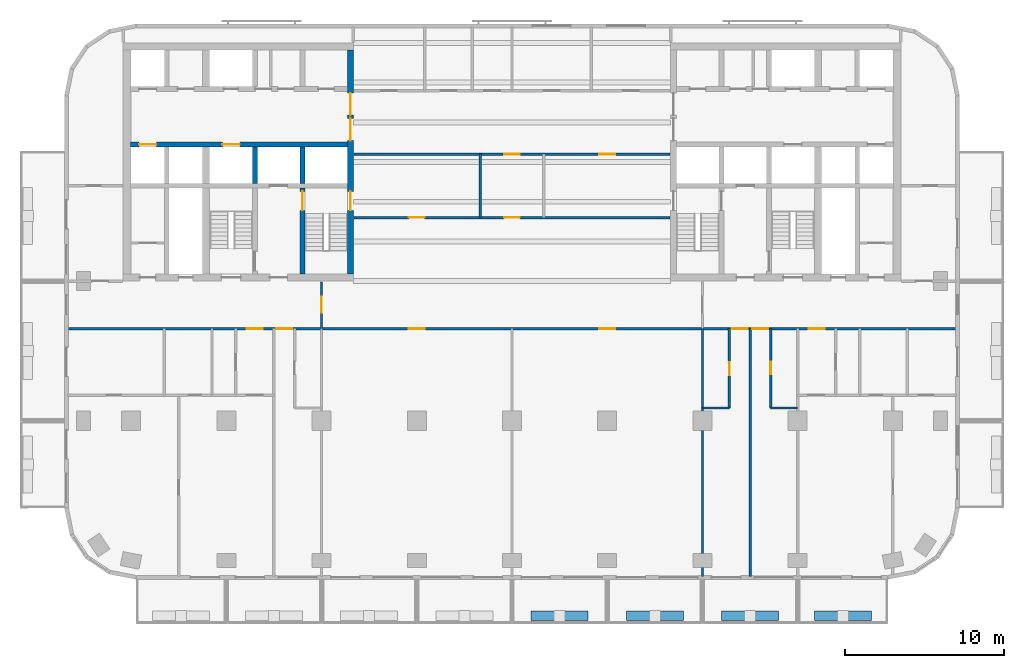
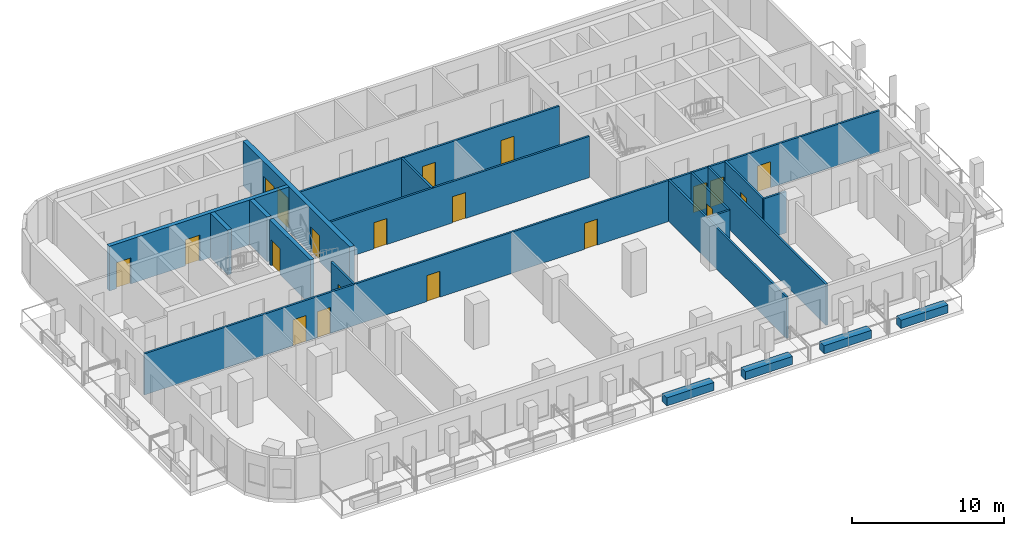
# One storey, part 4 of 11: 20 doors, 20 walls, 20 openings.
"""IFC4 building model written with IfcOpenShell, lengths in metres."""

from ifc_helpers import new_model, si_unit, direction, frame, frame_2d, origin, place, context, subcontext, project, spatial, rectangle, extrude, material, layer, layer_set, type_object, element, fill, save


model = new_model("IFC4")

# Units and contexts
model_context = context("Model", 3, precision=1e-05, world=origin(), true_north=direction((0.0, 1.0)))
body_context = subcontext(model_context, "Body", "Model", "MODEL_VIEW")
ifc_project = project(units=[si_unit("LENGTHUNIT", "METRE"), si_unit("AREAUNIT", "SQUARE_METRE"), si_unit("VOLUMEUNIT", "CUBIC_METRE"), si_unit("PLANEANGLEUNIT", "RADIAN"), si_unit("MASSUNIT", "GRAM", prefix="KILO")], contexts=[model_context])

# Site, building, storey
site_placement = place(None, origin())
site = spatial("IfcSite", under=ifc_project, at=site_placement, CompositionType="ELEMENT")
building_placement = place(site_placement, origin())
building = spatial("IfcBuilding", under=site, at=building_placement, Name="Torana Hotel and Residences", CompositionType="ELEMENT")
storey_placement = place(building_placement, frame((0.0, 0.0, 130.800048828125)))
storey = spatial("IfcBuildingStorey", under=building, at=storey_placement, Name="L33", CompositionType="ELEMENT", Elevation=130.800048828125)

# Wall, openings, doors
ifc_material_1 = material(Name="Concrete C70/85", Category="concrete")
ifc_layer_1 = layer(ifc_material_1, 0.300048828125)
ifc_layer_set_1 = layer_set([ifc_layer_1], Name="CORE WALL 300 C70/85")
wall_type_1 = type_object("IfcWallType", Name="CORE WALL 300 C70/85", PredefinedType="SHEAR", material=ifc_layer_set_1)
wall_1_placement = place(storey_placement, frame((-24.050048828125, -6.39990234375, 0.0), z_axis=(0.0, 0.0, 1.0), x_axis=(1.0, 0.0, 0.0)))
wall_1 = element("IfcWall", 1, at=wall_1_placement, inside=storey, type_object=wall_type_1, Name="Core wall W row-S", PredefinedType="SHEAR", context=body_context, shape_type="SweptSolid", body=[
    extrude(rectangle(XDim=13.699951171875, YDim=0.300048828125, at=frame_2d((6.85009765625, 0.0))), origin(), (0.0, 0.0, 1.0), 3.599853515625),
])
opening_1_placement = place(wall_1_placement, frame((0.550048828125, 0.0, 0.0)))
opening_1 = element("IfcOpeningElement", 2, at=opening_1_placement, cuts=wall_1, Name="Opening LD", PredefinedType="OPENING", context=body_context, shape_type="SweptSolid", body=[
    extrude(rectangle(XDim=1.10009765625, YDim=2.10009765625, at=frame_2d((0.550048828125, 1.050048828125))), frame((0.0, 0.159912109375, 0.0), z_axis=(0.0, -1.0, 0.0), x_axis=(1.0, 0.0, 0.0)), (0.0, 0.0, 1.0), 0.320068359375),
])
opening_2_placement = place(wall_1_placement, frame((5.800048828125, 0.0, 0.0)))
opening_2 = element("IfcOpeningElement", 3, at=opening_2_placement, cuts=wall_1, Name="Opening LD", PredefinedType="OPENING", context=body_context, shape_type="SweptSolid", body=[
    extrude(rectangle(XDim=1.10009765625, YDim=2.10009765625, at=frame_2d((0.550048828125, 1.050048828125))), frame((0.0, 0.159912109375, 0.0), z_axis=(0.0, -1.0, 0.0), x_axis=(1.0, 0.0, 0.0)), (0.0, 0.0, 1.0), 0.320068359375),
])
ifc_material_2 = material(Name="Stainless steel 316", Category="steel")
door_type_1 = type_object("IfcDoorType", Name="LIFT LANDING DOOR LD 1100x2100", OperationType="DOUBLE_DOOR_SLIDING", PredefinedType="USERDEFINED", material=ifc_material_2)
door_1_placement = place(opening_1_placement, origin())
door_1 = element("IfcDoor", 4, at=door_1_placement, inside=storey, type_object=door_type_1, Name="Lift landing door M2 L33", ObjectType="LIFT LANDING DOOR", OperationType="DOUBLE_DOOR_SLIDING", OverallHeight=2.10009765625, OverallWidth=1.10009765625, PredefinedType="USERDEFINED", context=body_context, shape_type="SweptSolid", body=[
    extrude(rectangle(XDim=1.10009765625, YDim=2.10009765625, at=frame_2d((0.550048828125, 1.050048828125))), frame((0.0, 0.02490234375, 0.0), z_axis=(0.0, -1.0, 0.0), x_axis=(1.0, 0.0, 0.0)), (0.0, 0.0, 1.0), 0.050048828125),
])
fill(opening_1, door_1)
door_2_placement = place(opening_2_placement, origin())
door_2 = element("IfcDoor", 5, at=door_2_placement, inside=storey, type_object=door_type_1, Name="Lift landing door SV1 L33", ObjectType="LIFT LANDING DOOR", OperationType="DOUBLE_DOOR_SLIDING", OverallHeight=2.10009765625, OverallWidth=1.10009765625, PredefinedType="USERDEFINED", context=body_context, shape_type="SweptSolid", body=[
    extrude(rectangle(XDim=1.10009765625, YDim=2.10009765625, at=frame_2d((0.550048828125, 1.050048828125))), frame((0.0, 0.02490234375, 0.0), z_axis=(0.0, -1.0, 0.0), x_axis=(1.0, 0.0, 0.0)), (0.0, 0.0, 1.0), 0.050048828125),
])
fill(opening_2, door_2)

# Wall
wall_2_placement = place(storey_placement, frame((-13.199951171875, -8.85009765625, 0.0), z_axis=(0.0, 0.0, 1.0), x_axis=(0.0, 1.0, 0.0)))
element("IfcWall", 6, at=wall_2_placement, inside=storey, type_object=wall_type_1, Name="Core wall W x3.05-S", PredefinedType="SHEAR", context=body_context, shape_type="SweptSolid", body=[
    extrude(rectangle(XDim=2.300048828125, YDim=0.300048828125, at=frame_2d((1.14990234375, 0.0))), origin(), (0.0, 0.0, 1.0), 3.599853515625),
])

# Wall, opening, door
wall_3_placement = place(storey_placement, frame((-13.199951171875, -14.550048828125, 0.0), z_axis=(0.0, 0.0, 1.0), x_axis=(0.0, 1.0, 0.0)))
wall_3 = element("IfcWall", 7, at=wall_3_placement, inside=storey, type_object=wall_type_1, Name="Core wall W x3.05-band", PredefinedType="SHEAR", context=body_context, shape_type="SweptSolid", body=[
    extrude(rectangle(XDim=5.400146484375, YDim=0.300048828125, at=frame_2d((2.7001953125, 0.0))), origin(), (0.0, 0.0, 1.0), 3.599853515625),
])
opening_3_placement = place(wall_3_placement, frame((4.0, 0.0, 0.0)))
opening_3 = element("IfcOpeningElement", 8, at=opening_3_placement, cuts=wall_3, Name="Opening L33-13", PredefinedType="OPENING", context=body_context, shape_type="SweptSolid", body=[
    extrude(rectangle(XDim=1.199951171875, YDim=2.10009765625, at=frame_2d((0.60009765625, 1.050048828125))), frame((0.0, 0.159912109375, 0.0), z_axis=(0.0, -1.0, 0.0), x_axis=(1.0, 0.0, 0.0)), (0.0, 0.0, 1.0), 0.320068359375),
])
ifc_material_3 = material(Name="Steel S235", Category="steel")
door_type_2 = type_object("IfcDoorType", Name="STAIR FIRE DOOR D3 1200x2100", OperationType="SINGLE_SWING_LEFT", PredefinedType="DOOR", material=ifc_material_3)
door_3_placement = place(opening_3_placement, frame((0.60009765625, 0.0, 0.0), z_axis=(0.0, 0.0, 1.0), x_axis=(-1.0, 0.0, 0.0)))
door_3 = element("IfcDoor", 9, at=door_3_placement, inside=storey, type_object=door_type_2, Name="Stair-A-lobby door L33", OperationType="SINGLE_SWING_RIGHT", OverallHeight=2.10009765625, OverallWidth=1.199951171875, PredefinedType="DOOR", context=body_context, shape_type="SweptSolid", body=[
    extrude(rectangle(XDim=1.199951171875, YDim=2.10009765625, at=frame_2d((0.0, 1.050048828125))), frame((0.0, -0.02490234375, 0.0), z_axis=(0.0, 1.0, 0.0), x_axis=(-1.0, 0.0, 0.0)), (0.0, 0.0, 1.0), 0.050048828125),
])
fill(opening_3, door_3)

# Wall
wall_4_placement = place(storey_placement, frame((-16.199951171875, -8.85009765625, 0.0), z_axis=(0.0, 0.0, 1.0), x_axis=(0.0, 1.0, 0.0)))
element("IfcWall", 10, at=wall_4_placement, inside=storey, type_object=wall_type_1, Name="Core wall W x6.05-S", PredefinedType="SHEAR", context=body_context, shape_type="SweptSolid", body=[
    extrude(rectangle(XDim=2.300048828125, YDim=0.300048828125, at=frame_2d((1.14990234375, 0.0))), origin(), (0.0, 0.0, 1.0), 3.599853515625),
])

# Wall, openings, doors
ifc_material_4 = material(Name="Concrete C70/85", Category="concrete")
ifc_layer_2 = layer(ifc_material_4, 0.35009765625)
ifc_layer_set_2 = layer_set([ifc_layer_2], Name="CORE WALL 350 C70/85")
wall_type_2 = type_object("IfcWallType", Name="CORE WALL 350 C70/85", PredefinedType="SHEAR", material=ifc_layer_set_2)
wall_5_placement = place(storey_placement, frame((-10.175048828125, -14.550048828125, 0.0), z_axis=(0.0, 0.0, 1.0), x_axis=(0.0, 1.0, 0.0)))
wall_5 = element("IfcWall", 11, at=wall_5_placement, inside=storey, type_object=wall_type_2, Name="Core wall W arch", PredefinedType="SHEAR", context=body_context, shape_type="SweptSolid", body=[
    extrude(rectangle(XDim=14.10009765625, YDim=0.35009765625, at=frame_2d((7.050048828125, 0.0))), origin(), (0.0, 0.0, 1.0), 3.599853515625),
])
opening_4_placement = place(wall_5_placement, frame((8.39990234375, 0.0, 0.0)))
opening_4 = element("IfcOpeningElement", 12, at=opening_4_placement, cuts=wall_5, Name="Opening L33-01", PredefinedType="OPENING", context=body_context, shape_type="SweptSolid", body=[
    extrude(rectangle(XDim=1.39990234375, YDim=2.39990234375, at=frame_2d((0.699951171875, 1.199951171875))), frame((0.0, 0.18505859375, 0.0), z_axis=(0.0, -1.0, 0.0), x_axis=(1.0, 0.0, 0.0)), (0.0, 0.0, 1.0), 0.3701171875),
])
opening_5_placement = place(wall_5_placement, frame((10.0, 0.0, 0.0)))
opening_5 = element("IfcOpeningElement", 13, at=opening_5_placement, cuts=wall_5, Name="Opening L33-02", PredefinedType="OPENING", context=body_context, shape_type="SweptSolid", body=[
    extrude(rectangle(XDim=1.39990234375, YDim=2.39990234375, at=frame_2d((0.699951171875, 1.199951171875))), frame((0.0, 0.18505859375, 0.0), z_axis=(0.0, -1.0, 0.0), x_axis=(1.0, 0.0, 0.0)), (0.0, 0.0, 1.0), 0.3701171875),
])
opening_6_placement = place(wall_5_placement, frame((4.0, 0.0, 0.0)))
opening_6 = element("IfcOpeningElement", 14, at=opening_6_placement, cuts=wall_5, Name="Opening L33-03", PredefinedType="OPENING", context=body_context, shape_type="SweptSolid", body=[
    extrude(rectangle(XDim=1.199951171875, YDim=2.10009765625, at=frame_2d((0.60009765625, 1.050048828125))), frame((0.0, 0.18505859375, 0.0), z_axis=(0.0, -1.0, 0.0), x_axis=(1.0, 0.0, 0.0)), (0.0, 0.0, 1.0), 0.3701171875),
])
ifc_material_5 = material(Name="Steel S235", Category="steel")
door_type_3 = type_object("IfcDoorType", Name="LOBBY FIRE DOOR D4 1400x2400", OperationType="DOUBLE_DOOR_SINGLE_SWING", PredefinedType="DOOR", material=ifc_material_5)
door_4_placement = place(opening_4_placement, origin())
door_4 = element("IfcDoor", 15, at=door_4_placement, inside=storey, type_object=door_type_3, Name="Lobby-1 door L33", OperationType="DOUBLE_DOOR_SINGLE_SWING", OverallHeight=2.39990234375, OverallWidth=1.39990234375, PredefinedType="DOOR", context=body_context, shape_type="SweptSolid", body=[
    extrude(rectangle(XDim=1.39990234375, YDim=2.39990234375, at=frame_2d((0.699951171875, 1.199951171875))), frame((0.0, 0.02490234375, 0.0), z_axis=(0.0, -1.0, 0.0), x_axis=(1.0, 0.0, 0.0)), (0.0, 0.0, 1.0), 0.050048828125),
])
fill(opening_4, door_4)
door_5_placement = place(opening_5_placement, origin())
door_5 = element("IfcDoor", 16, at=door_5_placement, inside=storey, type_object=door_type_3, Name="Lobby-2 door L33", OperationType="DOUBLE_DOOR_SINGLE_SWING", OverallHeight=2.39990234375, OverallWidth=1.39990234375, PredefinedType="DOOR", context=body_context, shape_type="SweptSolid", body=[
    extrude(rectangle(XDim=1.39990234375, YDim=2.39990234375, at=frame_2d((0.699951171875, 1.199951171875))), frame((0.0, 0.02490234375, 0.0), z_axis=(0.0, -1.0, 0.0), x_axis=(1.0, 0.0, 0.0)), (0.0, 0.0, 1.0), 0.050048828125),
])
fill(opening_5, door_5)
door_6_placement = place(opening_6_placement, origin())
door_6 = element("IfcDoor", 17, at=door_6_placement, inside=storey, type_object=door_type_2, Name="Stair-A door L33", OperationType="SINGLE_SWING_LEFT", OverallHeight=2.10009765625, OverallWidth=1.199951171875, PredefinedType="DOOR", context=body_context, shape_type="SweptSolid", body=[
    extrude(rectangle(XDim=1.199951171875, YDim=2.10009765625, at=frame_2d((0.60009765625, 1.050048828125))), frame((0.0, 0.02490234375, 0.0), z_axis=(0.0, -1.0, 0.0), x_axis=(1.0, 0.0, 0.0)), (0.0, 0.0, 1.0), 0.050048828125),
])
fill(opening_6, door_6)

# Wall
ifc_material_6 = material(Name="Gypsum plaster")
ifc_layer_3 = layer(ifc_material_6, 0.014892578125, Name="Plaster", Category="finish")
ifc_material_7 = material(Name="Concrete blockwork", Category="masonry")
ifc_layer_4 = layer(ifc_material_7, 0.1201171875, Name="Blockwork", Category="structure")
ifc_layer_5 = layer(ifc_material_6, 0.014892578125, Name="Plaster", Category="finish")
ifc_layer_set_3 = layer_set([ifc_layer_3, ifc_layer_4, ifc_layer_5], Name="FIRE PARTITION 150 BLOCKWORK")
wall_type_3 = type_object("IfcWallType", Name="FIRE PARTITION 150 BLOCKWORK", PredefinedType="PARTITIONING", material=ifc_layer_set_3)
wall_6_placement = place(storey_placement, frame((-2.0, -11.0, 0.0), z_axis=(0.0, 0.0, 1.0), x_axis=(0.0, 1.0, 0.0)))
element("IfcWall", 18, at=wall_6_placement, inside=storey, type_object=wall_type_3, Name="Partition L33", PredefinedType="PARTITIONING", context=body_context, shape_type="SweptSolid", body=[
    extrude(rectangle(XDim=4.0, YDim=0.14990234375, at=frame_2d((2.0, 0.0))), origin(), (0.0, 0.0, 1.0), 3.320068359375),
])

# Wall, opening, door
wall_7_placement = place(storey_placement, frame((-12.0, -18.0, 0.0), z_axis=(0.0, 0.0, 1.0), x_axis=(0.0, 1.0, 0.0)))
wall_7 = element("IfcWall", 19, at=wall_7_placement, inside=storey, type_object=wall_type_3, Name="Partition L33", PredefinedType="PARTITIONING", context=body_context, shape_type="SweptSolid", body=[
    extrude(rectangle(XDim=2.949951171875, YDim=0.14990234375, at=frame_2d((1.47509765625, 0.0))), origin(), (0.0, 0.0, 1.0), 3.320068359375),
])
opening_7_placement = place(wall_7_placement, frame((1.0, 0.0, 0.0)))
opening_7 = element("IfcOpeningElement", 20, at=opening_7_placement, cuts=wall_7, Name="Opening L33-31", PredefinedType="OPENING", context=body_context, shape_type="SweptSolid", body=[
    extrude(rectangle(XDim=1.0, YDim=2.10009765625, at=frame_2d((0.5, 1.050048828125))), frame((0.0, 0.0849609375, 0.0), z_axis=(0.0, -1.0, 0.0), x_axis=(1.0, 0.0, 0.0)), (0.0, 0.0, 1.0), 0.169921875),
])
ifc_material_8 = material(Name="Steel S235", Category="steel")
door_type_4 = type_object("IfcDoorType", Name="ENTRY FIRE DOOR D6 1000x2100", OperationType="SINGLE_SWING_LEFT", PredefinedType="DOOR", material=ifc_material_8)
door_7_placement = place(opening_7_placement, origin())
door_7 = element("IfcDoor", 21, at=door_7_placement, inside=storey, type_object=door_type_4, Name="Door L33", OperationType="SINGLE_SWING_RIGHT", OverallHeight=2.10009765625, OverallWidth=1.0, PredefinedType="DOOR", context=body_context, shape_type="SweptSolid", body=[
    extrude(rectangle(XDim=1.0, YDim=2.10009765625, at=frame_2d((0.5, 1.050048828125))), frame((0.0, 0.02490234375, 0.0), z_axis=(0.0, -1.0, 0.0), x_axis=(1.0, 0.0, 0.0)), (0.0, 0.0, 1.0), 0.050048828125),
])
fill(opening_7, door_7)

# Wall, openings, doors
wall_8_placement = place(storey_placement, frame((-28.02001953125, -18.0, 0.0), z_axis=(0.0, 0.0, 1.0), x_axis=(1.0, 0.0, 0.0)))
wall_8 = element("IfcWall", 22, at=wall_8_placement, inside=storey, type_object=wall_type_3, Name="Partition L33", PredefinedType="PARTITIONING", context=body_context, shape_type="SweptSolid", body=[
    extrude(rectangle(XDim=56.0400390625, YDim=0.14990234375, at=frame_2d((28.02001953125, 0.0))), origin(), (0.0, 0.0, 1.0), 3.320068359375),
])
opening_8_placement = place(wall_8_placement, frame((13.169921875, 0.0, 0.0)))
opening_8 = element("IfcOpeningElement", 23, at=opening_8_placement, cuts=wall_8, Name="Opening L33-32", PredefinedType="OPENING", context=body_context, shape_type="SweptSolid", body=[
    extrude(rectangle(XDim=1.0, YDim=2.10009765625, at=frame_2d((0.5, 1.050048828125))), frame((0.0, 0.0849609375, 0.0), z_axis=(0.0, -1.0, 0.0), x_axis=(1.0, 0.0, 0.0)), (0.0, 0.0, 1.0), 0.169921875),
])
opening_9_placement = place(wall_8_placement, frame((11.320068359375, 0.0, 0.0)))
opening_9 = element("IfcOpeningElement", 24, at=opening_9_placement, cuts=wall_8, Name="Opening L33-33", PredefinedType="OPENING", context=body_context, shape_type="SweptSolid", body=[
    extrude(rectangle(XDim=1.0, YDim=2.10009765625, at=frame_2d((0.5, 1.050048828125))), frame((0.0, 0.0849609375, 0.0), z_axis=(0.0, -1.0, 0.0), x_axis=(1.0, 0.0, 0.0)), (0.0, 0.0, 1.0), 0.169921875),
])
opening_10_placement = place(wall_8_placement, frame((41.8701171875, 0.0, 0.0)))
opening_10 = element("IfcOpeningElement", 25, at=opening_10_placement, cuts=wall_8, Name="Opening L33-36", PredefinedType="OPENING", context=body_context, shape_type="SweptSolid", body=[
    extrude(rectangle(XDim=1.0, YDim=2.10009765625, at=frame_2d((0.5, 1.050048828125))), frame((0.0, 0.0849609375, 0.0), z_axis=(0.0, -1.0, 0.0), x_axis=(1.0, 0.0, 0.0)), (0.0, 0.0, 1.0), 0.169921875),
])
opening_11_placement = place(wall_8_placement, frame((43.169921875, 0.0, 0.0)))
opening_11 = element("IfcOpeningElement", 26, at=opening_11_placement, cuts=wall_8, Name="Opening L33-37", PredefinedType="OPENING", context=body_context, shape_type="SweptSolid", body=[
    extrude(rectangle(XDim=1.0, YDim=2.10009765625, at=frame_2d((0.5, 1.050048828125))), frame((0.0, 0.0849609375, 0.0), z_axis=(0.0, -1.0, 0.0), x_axis=(1.0, 0.0, 0.0)), (0.0, 0.0, 1.0), 0.169921875),
])
opening_12_placement = place(wall_8_placement, frame((46.719970703125, 0.0, 0.0)))
opening_12 = element("IfcOpeningElement", 27, at=opening_12_placement, cuts=wall_8, Name="Opening L33-38", PredefinedType="OPENING", context=body_context, shape_type="SweptSolid", body=[
    extrude(rectangle(XDim=1.0, YDim=2.10009765625, at=frame_2d((0.5, 1.050048828125))), frame((0.0, 0.0849609375, 0.0), z_axis=(0.0, -1.0, 0.0), x_axis=(1.0, 0.0, 0.0)), (0.0, 0.0, 1.0), 0.169921875),
])
opening_13_placement = place(wall_8_placement, frame((21.52001953125, 0.0, 0.0)))
opening_13 = element("IfcOpeningElement", 28, at=opening_13_placement, cuts=wall_8, Name="Opening L33-41", PredefinedType="OPENING", context=body_context, shape_type="SweptSolid", body=[
    extrude(rectangle(XDim=1.0, YDim=2.10009765625, at=frame_2d((0.5, 1.050048828125))), frame((0.0, 0.0849609375, 0.0), z_axis=(0.0, -1.0, 0.0), x_axis=(1.0, 0.0, 0.0)), (0.0, 0.0, 1.0), 0.169921875),
])
opening_14_placement = place(wall_8_placement, frame((33.52001953125, 0.0, 0.0)))
opening_14 = element("IfcOpeningElement", 29, at=opening_14_placement, cuts=wall_8, Name="Opening L33-42", PredefinedType="OPENING", context=body_context, shape_type="SweptSolid", body=[
    extrude(rectangle(XDim=1.0, YDim=2.10009765625, at=frame_2d((0.5, 1.050048828125))), frame((0.0, 0.0849609375, 0.0), z_axis=(0.0, -1.0, 0.0), x_axis=(1.0, 0.0, 0.0)), (0.0, 0.0, 1.0), 0.169921875),
])
door_8_placement = place(opening_8_placement, frame((0.5, 0.0, 0.0), z_axis=(0.0, 0.0, 1.0), x_axis=(-1.0, 0.0, 0.0)))
door_8 = element("IfcDoor", 30, at=door_8_placement, inside=storey, type_object=door_type_4, Name="Door L33", OperationType="SINGLE_SWING_LEFT", OverallHeight=2.10009765625, OverallWidth=1.0, PredefinedType="DOOR", context=body_context, shape_type="SweptSolid", body=[
    extrude(rectangle(XDim=1.0, YDim=2.10009765625, at=frame_2d((0.0, 1.050048828125))), frame((0.0, -0.02490234375, 0.0), z_axis=(0.0, 1.0, 0.0), x_axis=(-1.0, 0.0, 0.0)), (0.0, 0.0, 1.0), 0.050048828125),
])
fill(opening_8, door_8)
door_9_placement = place(opening_9_placement, origin())
door_9 = element("IfcDoor", 31, at=door_9_placement, inside=storey, type_object=door_type_4, Name="Door L33", OperationType="SINGLE_SWING_RIGHT", OverallHeight=2.10009765625, OverallWidth=1.0, PredefinedType="DOOR", context=body_context, shape_type="SweptSolid", body=[
    extrude(rectangle(XDim=1.0, YDim=2.10009765625, at=frame_2d((0.5, 1.050048828125))), frame((0.0, 0.02490234375, 0.0), z_axis=(0.0, -1.0, 0.0), x_axis=(1.0, 0.0, 0.0)), (0.0, 0.0, 1.0), 0.050048828125),
])
fill(opening_9, door_9)
door_10_placement = place(opening_10_placement, frame((0.5, 0.0, 0.0), z_axis=(0.0, 0.0, 1.0), x_axis=(-1.0, 0.0, 0.0)))
door_10 = element("IfcDoor", 32, at=door_10_placement, inside=storey, type_object=door_type_4, Name="Door L33", OperationType="SINGLE_SWING_LEFT", OverallHeight=2.10009765625, OverallWidth=1.0, PredefinedType="DOOR", context=body_context, shape_type="SweptSolid", body=[
    extrude(rectangle(XDim=1.0, YDim=2.10009765625, at=frame_2d((0.0, 1.050048828125))), frame((0.0, -0.02490234375, 0.0), z_axis=(0.0, 1.0, 0.0), x_axis=(-1.0, 0.0, 0.0)), (0.0, 0.0, 1.0), 0.050048828125),
])
fill(opening_10, door_10)
door_11_placement = place(opening_11_placement, frame((0.5, 0.0, 0.0), z_axis=(0.0, 0.0, 1.0), x_axis=(-1.0, 0.0, 0.0)))
door_11 = element("IfcDoor", 33, at=door_11_placement, inside=storey, type_object=door_type_4, Name="Door L33", OperationType="SINGLE_SWING_LEFT", OverallHeight=2.10009765625, OverallWidth=1.0, PredefinedType="DOOR", context=body_context, shape_type="SweptSolid", body=[
    extrude(rectangle(XDim=1.0, YDim=2.10009765625, at=frame_2d((0.0, 1.050048828125))), frame((0.0, -0.02490234375, 0.0), z_axis=(0.0, 1.0, 0.0), x_axis=(-1.0, 0.0, 0.0)), (0.0, 0.0, 1.0), 0.050048828125),
])
fill(opening_11, door_11)
door_12_placement = place(opening_12_placement, origin())
door_12 = element("IfcDoor", 34, at=door_12_placement, inside=storey, type_object=door_type_4, Name="Door L33", OperationType="SINGLE_SWING_RIGHT", OverallHeight=2.10009765625, OverallWidth=1.0, PredefinedType="DOOR", context=body_context, shape_type="SweptSolid", body=[
    extrude(rectangle(XDim=1.0, YDim=2.10009765625, at=frame_2d((0.5, 1.050048828125))), frame((0.0, 0.02490234375, 0.0), z_axis=(0.0, -1.0, 0.0), x_axis=(1.0, 0.0, 0.0)), (0.0, 0.0, 1.0), 0.050048828125),
])
fill(opening_12, door_12)
door_13_placement = place(opening_13_placement, frame((0.5, 0.0, 0.0), z_axis=(0.0, 0.0, 1.0), x_axis=(-1.0, 0.0, 0.0)))
door_13 = element("IfcDoor", 35, at=door_13_placement, inside=storey, type_object=door_type_4, Name="Door L33", OperationType="SINGLE_SWING_LEFT", OverallHeight=2.10009765625, OverallWidth=1.0, PredefinedType="DOOR", context=body_context, shape_type="SweptSolid", body=[
    extrude(rectangle(XDim=1.0, YDim=2.10009765625, at=frame_2d((0.0, 1.050048828125))), frame((0.0, -0.02490234375, 0.0), z_axis=(0.0, 1.0, 0.0), x_axis=(-1.0, 0.0, 0.0)), (0.0, 0.0, 1.0), 0.050048828125),
])
fill(opening_13, door_13)
door_14_placement = place(opening_14_placement, frame((0.5, 0.0, 0.0), z_axis=(0.0, 0.0, 1.0), x_axis=(-1.0, 0.0, 0.0)))
door_14 = element("IfcDoor", 36, at=door_14_placement, inside=storey, type_object=door_type_4, Name="Door L33", OperationType="SINGLE_SWING_LEFT", OverallHeight=2.10009765625, OverallWidth=1.0, PredefinedType="DOOR", context=body_context, shape_type="SweptSolid", body=[
    extrude(rectangle(XDim=1.0, YDim=2.10009765625, at=frame_2d((0.0, 1.050048828125))), frame((0.0, -0.02490234375, 0.0), z_axis=(0.0, 1.0, 0.0), x_axis=(-1.0, 0.0, 0.0)), (0.0, 0.0, 1.0), 0.050048828125),
])
fill(opening_14, door_14)

wall_9_placement = place(storey_placement, frame((-9.949951171875, -11.0, 0.0), z_axis=(0.0, 0.0, 1.0), x_axis=(1.0, 0.0, 0.0)))
wall_9 = element("IfcWall", 37, at=wall_9_placement, inside=storey, type_object=wall_type_3, Name="Partition L33", PredefinedType="PARTITIONING", context=body_context, shape_type="SweptSolid", body=[
    extrude(rectangle(XDim=19.89990234375, YDim=0.14990234375, at=frame_2d((9.949951171875, 0.0))), origin(), (0.0, 0.0, 1.0), 3.320068359375),
])
opening_15_placement = place(wall_9_placement, frame((9.449951171875, 0.0, 0.0)))
opening_15 = element("IfcOpeningElement", 38, at=opening_15_placement, cuts=wall_9, Name="Opening L33-40", PredefinedType="OPENING", context=body_context, shape_type="SweptSolid", body=[
    extrude(rectangle(XDim=1.0, YDim=2.10009765625, at=frame_2d((0.5, 1.050048828125))), frame((0.0, 0.0849609375, 0.0), z_axis=(0.0, -1.0, 0.0), x_axis=(1.0, 0.0, 0.0)), (0.0, 0.0, 1.0), 0.169921875),
])
opening_16_placement = place(wall_9_placement, frame((3.449951171875, 0.0, 0.0)))
opening_16 = element("IfcOpeningElement", 39, at=opening_16_placement, cuts=wall_9, Name="Opening L33-43", PredefinedType="OPENING", context=body_context, shape_type="SweptSolid", body=[
    extrude(rectangle(XDim=1.0, YDim=2.10009765625, at=frame_2d((0.5, 1.050048828125))), frame((0.0, 0.0849609375, 0.0), z_axis=(0.0, -1.0, 0.0), x_axis=(1.0, 0.0, 0.0)), (0.0, 0.0, 1.0), 0.169921875),
])
door_15_placement = place(opening_15_placement, origin())
door_15 = element("IfcDoor", 40, at=door_15_placement, inside=storey, type_object=door_type_4, Name="Door L33", OperationType="SINGLE_SWING_RIGHT", OverallHeight=2.10009765625, OverallWidth=1.0, PredefinedType="DOOR", context=body_context, shape_type="SweptSolid", body=[
    extrude(rectangle(XDim=1.0, YDim=2.10009765625, at=frame_2d((0.5, 1.050048828125))), frame((0.0, 0.02490234375, 0.0), z_axis=(0.0, -1.0, 0.0), x_axis=(1.0, 0.0, 0.0)), (0.0, 0.0, 1.0), 0.050048828125),
])
fill(opening_15, door_15)
door_16_placement = place(opening_16_placement, origin())
door_16 = element("IfcDoor", 41, at=door_16_placement, inside=storey, type_object=door_type_4, Name="Door L33", OperationType="SINGLE_SWING_RIGHT", OverallHeight=2.10009765625, OverallWidth=1.0, PredefinedType="DOOR", context=body_context, shape_type="SweptSolid", body=[
    extrude(rectangle(XDim=1.0, YDim=2.10009765625, at=frame_2d((0.5, 1.050048828125))), frame((0.0, 0.02490234375, 0.0), z_axis=(0.0, -1.0, 0.0), x_axis=(1.0, 0.0, 0.0)), (0.0, 0.0, 1.0), 0.050048828125),
])
fill(opening_16, door_16)

wall_10_placement = place(storey_placement, frame((-9.949951171875, -7.0, 0.0), z_axis=(0.0, 0.0, 1.0), x_axis=(1.0, 0.0, 0.0)))
wall_10 = element("IfcWall", 42, at=wall_10_placement, inside=storey, type_object=wall_type_3, Name="Partition L33", PredefinedType="PARTITIONING", context=body_context, shape_type="SweptSolid", body=[
    extrude(rectangle(XDim=19.89990234375, YDim=0.14990234375, at=frame_2d((9.949951171875, 0.0))), origin(), (0.0, 0.0, 1.0), 3.320068359375),
])
opening_17_placement = place(wall_10_placement, frame((9.449951171875, 0.0, 0.0)))
opening_17 = element("IfcOpeningElement", 43, at=opening_17_placement, cuts=wall_10, Name="Opening L33-44", PredefinedType="OPENING", context=body_context, shape_type="SweptSolid", body=[
    extrude(rectangle(XDim=1.0, YDim=2.10009765625, at=frame_2d((0.5, 1.050048828125))), frame((0.0, 0.0849609375, 0.0), z_axis=(0.0, -1.0, 0.0), x_axis=(1.0, 0.0, 0.0)), (0.0, 0.0, 1.0), 0.169921875),
])
opening_18_placement = place(wall_10_placement, frame((15.449951171875, 0.0, 0.0)))
opening_18 = element("IfcOpeningElement", 44, at=opening_18_placement, cuts=wall_10, Name="Opening L33-45", PredefinedType="OPENING", context=body_context, shape_type="SweptSolid", body=[
    extrude(rectangle(XDim=1.0, YDim=2.10009765625, at=frame_2d((0.5, 1.050048828125))), frame((0.0, 0.0849609375, 0.0), z_axis=(0.0, -1.0, 0.0), x_axis=(1.0, 0.0, 0.0)), (0.0, 0.0, 1.0), 0.169921875),
])
door_17_placement = place(opening_17_placement, origin())
door_17 = element("IfcDoor", 45, at=door_17_placement, inside=storey, type_object=door_type_4, Name="Door L33", OperationType="SINGLE_SWING_RIGHT", OverallHeight=2.10009765625, OverallWidth=1.0, PredefinedType="DOOR", context=body_context, shape_type="SweptSolid", body=[
    extrude(rectangle(XDim=1.0, YDim=2.10009765625, at=frame_2d((0.5, 1.050048828125))), frame((0.0, 0.02490234375, 0.0), z_axis=(0.0, -1.0, 0.0), x_axis=(1.0, 0.0, 0.0)), (0.0, 0.0, 1.0), 0.050048828125),
])
fill(opening_17, door_17)
door_18_placement = place(opening_18_placement, frame((0.5, 0.0, 0.0), z_axis=(0.0, 0.0, 1.0), x_axis=(-1.0, 0.0, 0.0)))
door_18 = element("IfcDoor", 46, at=door_18_placement, inside=storey, type_object=door_type_4, Name="Door L33", OperationType="SINGLE_SWING_LEFT", OverallHeight=2.10009765625, OverallWidth=1.0, PredefinedType="DOOR", context=body_context, shape_type="SweptSolid", body=[
    extrude(rectangle(XDim=1.0, YDim=2.10009765625, at=frame_2d((0.0, 1.050048828125))), frame((0.0, -0.02490234375, 0.0), z_axis=(0.0, 1.0, 0.0), x_axis=(-1.0, 0.0, 0.0)), (0.0, 0.0, 1.0), 0.050048828125),
])
fill(opening_18, door_18)

# Wall, opening, door
ifc_material_9 = material(Name="Gypsum plasterboard")
ifc_layer_6 = layer(ifc_material_9, 0.012451171875, Name="Plasterboard", Category="finish")
ifc_layer_7 = layer(ifc_material_9, 0.012451171875, Name="Plasterboard", Category="finish")
ifc_material_10 = material(Name="Steel S280GD", Category="steel")
ifc_layer_8 = layer(ifc_material_10, 0.10009765625, Name="Steel studs with mineral wool", Category="insulation")
ifc_layer_9 = layer(ifc_material_9, 0.012451171875, Name="Plasterboard", Category="finish")
ifc_layer_10 = layer(ifc_material_9, 0.012451171875, Name="Plasterboard", Category="finish")
ifc_layer_set_4 = layer_set([ifc_layer_6, ifc_layer_7, ifc_layer_8, ifc_layer_9, ifc_layer_10], Name="PARTITION 150 PLASTERBOARD")
wall_type_4 = type_object("IfcWallType", Name="PARTITION 150 PLASTERBOARD", PredefinedType="PARTITIONING", material=ifc_layer_set_4)
wall_11_placement = place(storey_placement, frame((16.300048828125, -23.0, 0.0), z_axis=(0.0, 0.0, 1.0), x_axis=(0.0, 1.0, 0.0)))
wall_11 = element("IfcWall", 47, at=wall_11_placement, inside=storey, type_object=wall_type_4, Name="Partition L33", PredefinedType="PARTITIONING", context=body_context, shape_type="SweptSolid", body=[
    extrude(rectangle(XDim=5.0, YDim=0.14990234375, at=frame_2d((2.5, 0.0))), origin(), (0.0, 0.0, 1.0), 3.320068359375),
])
opening_19_placement = place(wall_11_placement, frame((2.1201171875, 0.0, 0.0)))
opening_19 = element("IfcOpeningElement", 48, at=opening_19_placement, cuts=wall_11, Name="Opening L33-53", PredefinedType="OPENING", context=body_context, shape_type="SweptSolid", body=[
    extrude(rectangle(XDim=0.800048828125, YDim=2.10009765625, at=frame_2d((0.39990234375, 1.050048828125))), frame((0.0, 0.0849609375, 0.0), z_axis=(0.0, -1.0, 0.0), x_axis=(1.0, 0.0, 0.0)), (0.0, 0.0, 1.0), 0.169921875),
])
ifc_material_11 = material(Name="Timber door, painted", Category="wood")
door_type_5 = type_object("IfcDoorType", Name="BATH DOOR D13 800x2100", OperationType="SINGLE_SWING_LEFT", PredefinedType="DOOR", material=ifc_material_11)
door_19_placement = place(opening_19_placement, origin())
door_19 = element("IfcDoor", 49, at=door_19_placement, inside=storey, type_object=door_type_5, Name="Door L33", OperationType="SINGLE_SWING_RIGHT", OverallHeight=2.10009765625, OverallWidth=0.800048828125, PredefinedType="DOOR", context=body_context, shape_type="SweptSolid", body=[
    extrude(rectangle(XDim=0.800048828125, YDim=2.10009765625, at=frame_2d((0.39990234375, 1.050048828125))), frame((0.0, 0.02490234375, 0.0), z_axis=(0.0, -1.0, 0.0), x_axis=(1.0, 0.0, 0.0)), (0.0, 0.0, 1.0), 0.050048828125),
])
fill(opening_19, door_19)

# Wall
wall_12_placement = place(storey_placement, frame((15.0, -33.6201171875, 0.0), z_axis=(0.0, 0.0, 1.0), x_axis=(0.0, 1.0, 0.0)))
element("IfcWall", 50, at=wall_12_placement, inside=storey, type_object=wall_type_4, Name="Partition L33", PredefinedType="PARTITIONING", context=body_context, shape_type="SweptSolid", body=[
    extrude(rectangle(XDim=15.6201171875, YDim=0.14990234375, at=frame_2d((7.81005859375, 0.0))), origin(), (0.0, 0.0, 1.0), 3.320068359375),
])

# Wall, opening, door
wall_13_placement = place(storey_placement, frame((13.699951171875, -23.0, 0.0), z_axis=(0.0, 0.0, 1.0), x_axis=(0.0, 1.0, 0.0)))
wall_13 = element("IfcWall", 51, at=wall_13_placement, inside=storey, type_object=wall_type_4, Name="Partition L33", PredefinedType="PARTITIONING", context=body_context, shape_type="SweptSolid", body=[
    extrude(rectangle(XDim=5.0, YDim=0.14990234375, at=frame_2d((2.5, 0.0))), origin(), (0.0, 0.0, 1.0), 3.320068359375),
])
opening_20_placement = place(wall_13_placement, frame((2.080078125, 0.0, 0.0)))
opening_20 = element("IfcOpeningElement", 52, at=opening_20_placement, cuts=wall_13, Name="Opening L33-52", PredefinedType="OPENING", context=body_context, shape_type="SweptSolid", body=[
    extrude(rectangle(XDim=0.800048828125, YDim=2.10009765625, at=frame_2d((0.39990234375, 1.050048828125))), frame((0.0, 0.0849609375, 0.0), z_axis=(0.0, -1.0, 0.0), x_axis=(1.0, 0.0, 0.0)), (0.0, 0.0, 1.0), 0.169921875),
])
door_20_placement = place(opening_20_placement, origin())
door_20 = element("IfcDoor", 53, at=door_20_placement, inside=storey, type_object=door_type_5, Name="Door L33", OperationType="SINGLE_SWING_RIGHT", OverallHeight=2.10009765625, OverallWidth=0.800048828125, PredefinedType="DOOR", context=body_context, shape_type="SweptSolid", body=[
    extrude(rectangle(XDim=0.800048828125, YDim=2.10009765625, at=frame_2d((0.39990234375, 1.050048828125))), frame((0.0, 0.02490234375, 0.0), z_axis=(0.0, -1.0, 0.0), x_axis=(1.0, 0.0, 0.0)), (0.0, 0.0, 1.0), 0.050048828125),
])
fill(opening_20, door_20)

# Walls
wall_14_placement = place(storey_placement, frame((12.0, -33.6201171875, 0.0), z_axis=(0.0, 0.0, 1.0), x_axis=(0.0, 1.0, 0.0)))
element("IfcWall", 54, at=wall_14_placement, inside=storey, type_object=wall_type_4, Name="Partition L33", PredefinedType="PARTITIONING", context=body_context, shape_type="SweptSolid", body=[
    extrude(rectangle(XDim=15.6201171875, YDim=0.14990234375, at=frame_2d((7.81005859375, 0.0))), origin(), (0.0, 0.0, 1.0), 3.320068359375),
])
for number, where, z_axis, x_axis, name in (
    (55, (12.0, -23.0, 0.0), (0.0, 0.0, 1.0), (1.0, 0.0, 0.0), "Partition L33"),
    (56, (16.300048828125, -23.0, 0.0), (0.0, 0.0, 1.0), (1.0, 0.0, 0.0), "Partition L33"),
):
    element("IfcWall", number, at=place(storey_placement, frame(where, z_axis=z_axis, x_axis=x_axis)), inside=storey, type_object=wall_type_4, Name=name, PredefinedType="PARTITIONING", context=body_context, shape_type="SweptSolid", body=[
        extrude(rectangle(XDim=1.699951171875, YDim=0.14990234375, at=frame_2d((0.85009765625, 0.0))), origin(), (0.0, 0.0, 1.0), 3.320068359375),
    ])
ifc_material_12 = material(Name="Concrete C40/50 precast", Category="concrete")
ifc_layer_11 = layer(ifc_material_12, 0.10009765625, Name="Planter shell", Category="structure")
ifc_material_13 = material(Name="Root resistant membrane")
ifc_layer_12 = layer(ifc_material_13, 0.00390625, Name="Waterproofing membrane", Category="membrane")
ifc_material_14 = material(Name="Drainage board with filter fleece")
ifc_layer_13 = layer(ifc_material_14, 0.02001953125, Name="Drainage board", Category="drainage")
ifc_material_15 = material(Name="Growing medium")
ifc_layer_14 = layer(ifc_material_15, 0.47607421875, Name="Planting substrate", Category="soil")
ifc_layer_set_5 = layer_set([ifc_layer_11, ifc_layer_12, ifc_layer_13, ifc_layer_14], Name="PL1 BALCONY PLANTER 600")
wall_type_5 = type_object("IfcWallType", Name="PL1 BALCONY PLANTER 600", PredefinedType="USERDEFINED", material=ifc_layer_set_5)
for number, where, z_axis, x_axis, name in (
    (57, (4.800048828125, -36.10009765625, 0.0), (0.0, 0.0, 1.0), (-1.0, 0.0, 0.0), "Planter 05"),
    (58, (10.800048828125, -36.10009765625, 0.0), (0.0, 0.0, 1.0), (-1.0, 0.0, 0.0), "Planter 06"),
    (59, (16.800048828125, -36.10009765625, 0.0), (0.0, 0.0, 1.0), (-1.0, 0.0, 0.0), "Planter 07"),
):
    element("IfcWall", number, at=place(storey_placement, frame(where, z_axis=z_axis, x_axis=x_axis)), inside=storey, type_object=wall_type_5, Name=name, ObjectType="PLANTER", PredefinedType="USERDEFINED", context=body_context, shape_type="SweptSolid", body=[
        extrude(rectangle(XDim=3.60009765625, YDim=0.60009765625, at=frame_2d((1.800048828125, 0.0))), origin(), (0.0, 0.0, 1.0), 0.64990234375),
    ])
wall_15_placement = place(storey_placement, frame((22.64990234375, -36.10009765625, 0.0), z_axis=(0.0, 0.0, 1.0), x_axis=(-1.0, 0.0, 0.0)))
element("IfcWall", 60, at=wall_15_placement, inside=storey, type_object=wall_type_5, Name="Planter 08", ObjectType="PLANTER", PredefinedType="USERDEFINED", context=body_context, shape_type="SweptSolid", body=[
    extrude(rectangle(XDim=3.599853515625, YDim=0.60009765625, at=frame_2d((1.7998046875, 0.0))), origin(), (0.0, 0.0, 1.0), 0.64990234375),
])

save(model, "model.ifc")
